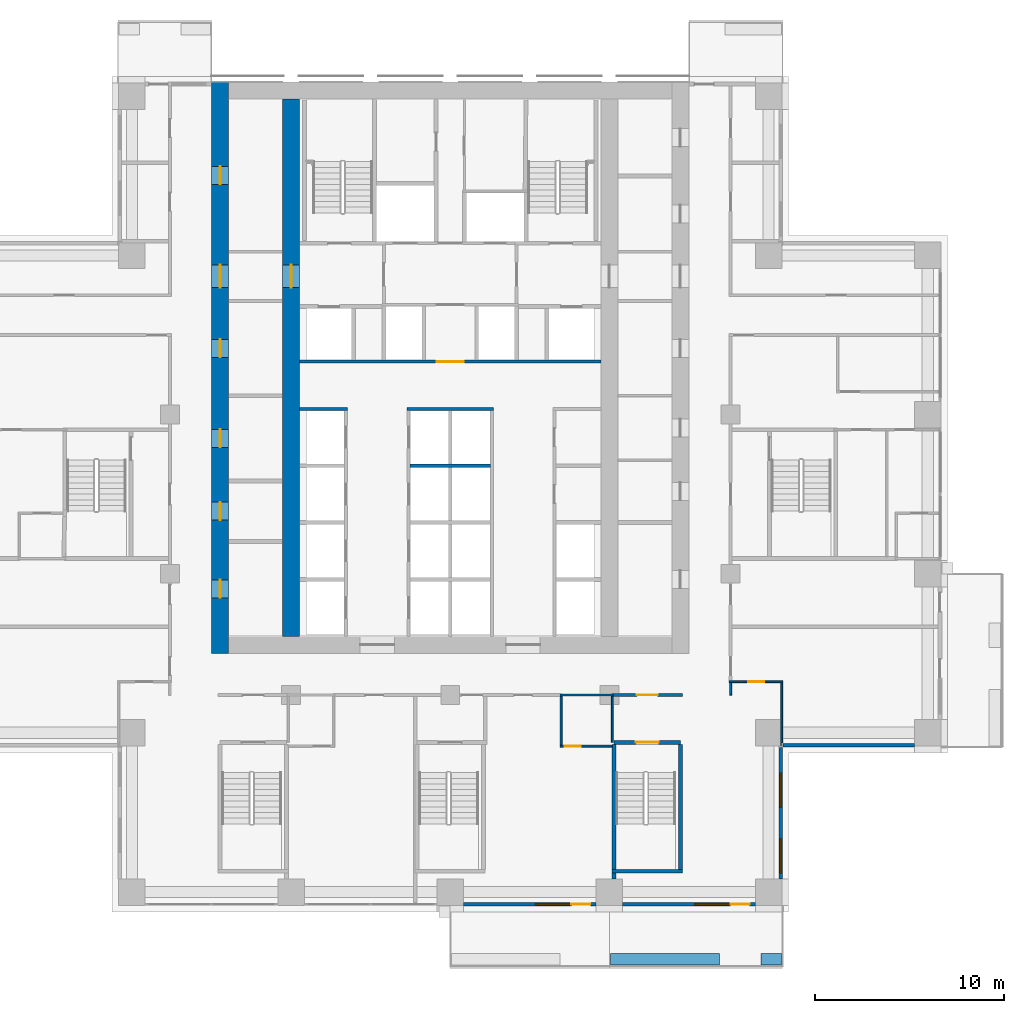
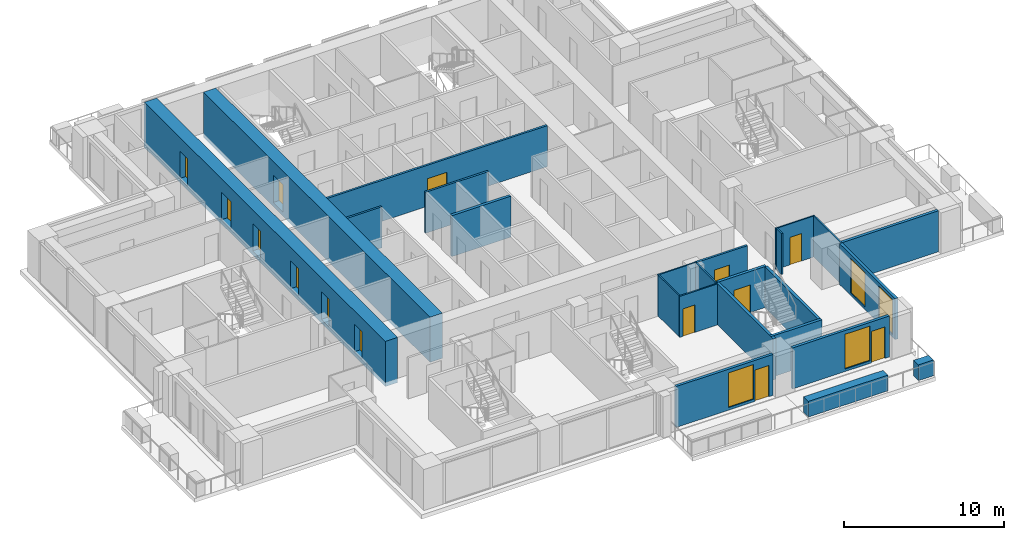
# One storey, part 10 of 17: 24 walls, 14 doors, 4 windows, 18 openings.
"""IFC4 building model written with IfcOpenShell, lengths in metres."""

from ifc_helpers import new_model, si_unit, direction, frame, frame_2d, origin, place, context, subcontext, project, spatial, rectangle, extrude, material, layer, layer_set, type_object, element, fill, save


model = new_model("IFC4")

# Units and contexts
model_context = context("Model", 3, precision=1e-05, world=origin(), true_north=direction((0.0, 1.0)))
body_context = subcontext(model_context, "Body", "Model", "MODEL_VIEW")
ifc_project = project(units=[si_unit("LENGTHUNIT", "METRE"), si_unit("AREAUNIT", "SQUARE_METRE"), si_unit("VOLUMEUNIT", "CUBIC_METRE"), si_unit("PLANEANGLEUNIT", "RADIAN"), si_unit("MASSUNIT", "GRAM", prefix="KILO")], contexts=[model_context])

# Site, building, storey
site_placement = place(None, origin())
site = spatial("IfcSite", under=ifc_project, at=site_placement, CompositionType="ELEMENT")
building_placement = place(site_placement, origin())
building = spatial("IfcBuilding", under=site, at=building_placement, Name="Vermilion Ogive Tower", CompositionType="ELEMENT")
storey_placement = place(building_placement, frame((0.0, 0.0, 65.550048828125)))
storey = spatial("IfcBuildingStorey", under=building, at=storey_placement, Name="L15", CompositionType="ELEMENT", Elevation=65.550048828125)

# Wall, openings, doors
ifc_material_1 = material(Name="Concrete B80", Category="concrete")
ifc_layer_1 = layer(ifc_material_1, 0.89990234375)
ifc_layer_set_1 = layer_set([ifc_layer_1], Name="Core wall 900 B80")
wall_type_1 = type_object("IfcWallType", Name="Core wall 900 B80", PredefinedType="SHEAR", material=ifc_layer_set_1)
wall_1_placement = place(storey_placement, frame((-12.14990234375, -8.39990234375, -0.320068359375), z_axis=(0.0, 0.0, 1.0), x_axis=(0.0, 1.0, 0.0)))
wall_1 = element("IfcWall", 1, at=wall_1_placement, inside=storey, type_object=wall_type_1, Name="L15-CORE-W", PredefinedType="SHEAR", context=body_context, shape_type="SweptSolid", body=[
    extrude(rectangle(XDim=30.14990234375, YDim=0.89990234375, at=frame_2d((15.074951171875, 0.0))), origin(), (0.0, 0.0, 1.0), 3.449951171875),
])
opening_1_placement = place(wall_1_placement, frame((2.925048828125, 0.0, 0.320068359375)))
opening_1 = element("IfcOpeningElement", 2, at=opening_1_placement, cuts=wall_1, Name="Opening DAD023", PredefinedType="OPENING", context=body_context, shape_type="SweptSolid", body=[
    extrude(rectangle(XDim=0.949951171875, YDim=2.10009765625, at=frame_2d((0.47509765625, 1.050048828125))), frame((0.0, 0.4599609375, 0.0), z_axis=(0.0, -1.0, 0.0), x_axis=(1.0, 0.0, 0.0)), (0.0, 0.0, 1.0), 0.919921875),
])
opening_2_placement = place(wall_1_placement, frame((7.02490234375, 0.0, 0.320068359375)))
opening_2 = element("IfcOpeningElement", 3, at=opening_2_placement, cuts=wall_1, Name="Opening DAD024", PredefinedType="OPENING", context=body_context, shape_type="SweptSolid", body=[
    extrude(rectangle(XDim=0.949951171875, YDim=2.10009765625, at=frame_2d((0.47509765625, 1.050048828125))), frame((0.0, 0.4599609375, 0.0), z_axis=(0.0, -1.0, 0.0), x_axis=(1.0, 0.0, 0.0)), (0.0, 0.0, 1.0), 0.919921875),
])
opening_3_placement = place(wall_1_placement, frame((10.875, 0.0, 0.320068359375)))
opening_3 = element("IfcOpeningElement", 4, at=opening_3_placement, cuts=wall_1, Name="Opening DAD025", PredefinedType="OPENING", context=body_context, shape_type="SweptSolid", body=[
    extrude(rectangle(XDim=0.949951171875, YDim=2.10009765625, at=frame_2d((0.47509765625, 1.050048828125))), frame((0.0, 0.4599609375, 0.0), z_axis=(0.0, -1.0, 0.0), x_axis=(1.0, 0.0, 0.0)), (0.0, 0.0, 1.0), 0.919921875),
])
opening_4_placement = place(wall_1_placement, frame((15.625, 0.0, 0.320068359375)))
opening_4 = element("IfcOpeningElement", 5, at=opening_4_placement, cuts=wall_1, Name="Opening DAD026", PredefinedType="OPENING", context=body_context, shape_type="SweptSolid", body=[
    extrude(rectangle(XDim=0.949951171875, YDim=2.10009765625, at=frame_2d((0.47509765625, 1.050048828125))), frame((0.0, 0.4599609375, 0.0), z_axis=(0.0, -1.0, 0.0), x_axis=(1.0, 0.0, 0.0)), (0.0, 0.0, 1.0), 0.919921875),
])
opening_5_placement = place(wall_1_placement, frame((24.75, 0.0, 0.320068359375)))
opening_5 = element("IfcOpeningElement", 6, at=opening_5_placement, cuts=wall_1, Name="Opening DAD027", PredefinedType="OPENING", context=body_context, shape_type="SweptSolid", body=[
    extrude(rectangle(XDim=0.949951171875, YDim=2.10009765625, at=frame_2d((0.47509765625, 1.050048828125))), frame((0.0, 0.4599609375, 0.0), z_axis=(0.0, -1.0, 0.0), x_axis=(1.0, 0.0, 0.0)), (0.0, 0.0, 1.0), 0.919921875),
])
opening_6_placement = place(wall_1_placement, frame((19.300048828125, 0.0, 0.320068359375)))
opening_6 = element("IfcOpeningElement", 7, at=opening_6_placement, cuts=wall_1, Name="Opening DAM005", PredefinedType="OPENING", context=body_context, shape_type="SweptSolid", body=[
    extrude(rectangle(XDim=1.199951171875, YDim=2.10009765625, at=frame_2d((0.60009765625, 1.050048828125))), frame((0.0, 0.4599609375, 0.0), z_axis=(0.0, -1.0, 0.0), x_axis=(1.0, 0.0, 0.0)), (0.0, 0.0, 1.0), 0.919921875),
])
ifc_material_2 = material(Name="Timber door leaf", Category="wood")
door_type_1 = type_object("IfcDoorType", Name="Link door 1200 x 2100 FD60S", OperationType="SINGLE_SWING_LEFT", PredefinedType="DOOR", material=ifc_material_2)
door_1_placement = place(opening_6_placement, origin())
door_1 = element("IfcDoor", 8, at=door_1_placement, inside=storey, type_object=door_type_1, Name="L15-CKW-XL", OperationType="SINGLE_SWING_LEFT", OverallHeight=2.10009765625, OverallWidth=1.199951171875, PredefinedType="DOOR", context=body_context, shape_type="SweptSolid", body=[
    extrude(rectangle(XDim=1.199951171875, YDim=2.10009765625, at=frame_2d((0.60009765625, 1.050048828125))), frame((0.0, 0.02490234375, 0.0), z_axis=(0.0, -1.0, 0.0), x_axis=(1.0, 0.0, 0.0)), (0.0, 0.0, 1.0), 0.050048828125),
])
fill(opening_6, door_1)
ifc_material_3 = material(Name="Timber door leaf", Category="wood")
door_type_2 = type_object("IfcDoorType", Name="Service door 950 x 2100 FD60", OperationType="SINGLE_SWING_LEFT", PredefinedType="DOOR", material=ifc_material_3)
door_2_placement = place(opening_1_placement, origin())
door_2 = element("IfcDoor", 9, at=door_2_placement, inside=storey, type_object=door_type_2, Name="L15-CKW-XR0", OperationType="SINGLE_SWING_LEFT", OverallHeight=2.10009765625, OverallWidth=0.949951171875, PredefinedType="DOOR", context=body_context, shape_type="SweptSolid", body=[
    extrude(rectangle(XDim=0.949951171875, YDim=2.10009765625, at=frame_2d((0.47509765625, 1.050048828125))), frame((0.0, 0.02490234375, 0.0), z_axis=(0.0, -1.0, 0.0), x_axis=(1.0, 0.0, 0.0)), (0.0, 0.0, 1.0), 0.050048828125),
])
fill(opening_1, door_2)
door_3_placement = place(opening_2_placement, origin())
door_3 = element("IfcDoor", 10, at=door_3_placement, inside=storey, type_object=door_type_2, Name="L15-CKW-XR1", OperationType="SINGLE_SWING_LEFT", OverallHeight=2.10009765625, OverallWidth=0.949951171875, PredefinedType="DOOR", context=body_context, shape_type="SweptSolid", body=[
    extrude(rectangle(XDim=0.949951171875, YDim=2.10009765625, at=frame_2d((0.47509765625, 1.050048828125))), frame((0.0, 0.02490234375, 0.0), z_axis=(0.0, -1.0, 0.0), x_axis=(1.0, 0.0, 0.0)), (0.0, 0.0, 1.0), 0.050048828125),
])
fill(opening_2, door_3)
door_4_placement = place(opening_3_placement, origin())
door_4 = element("IfcDoor", 11, at=door_4_placement, inside=storey, type_object=door_type_2, Name="L15-CKW-XR2", OperationType="SINGLE_SWING_LEFT", OverallHeight=2.10009765625, OverallWidth=0.949951171875, PredefinedType="DOOR", context=body_context, shape_type="SweptSolid", body=[
    extrude(rectangle(XDim=0.949951171875, YDim=2.10009765625, at=frame_2d((0.47509765625, 1.050048828125))), frame((0.0, 0.02490234375, 0.0), z_axis=(0.0, -1.0, 0.0), x_axis=(1.0, 0.0, 0.0)), (0.0, 0.0, 1.0), 0.050048828125),
])
fill(opening_3, door_4)
door_5_placement = place(opening_4_placement, origin())
door_5 = element("IfcDoor", 12, at=door_5_placement, inside=storey, type_object=door_type_2, Name="L15-CKW-XR3", OperationType="SINGLE_SWING_LEFT", OverallHeight=2.10009765625, OverallWidth=0.949951171875, PredefinedType="DOOR", context=body_context, shape_type="SweptSolid", body=[
    extrude(rectangle(XDim=0.949951171875, YDim=2.10009765625, at=frame_2d((0.47509765625, 1.050048828125))), frame((0.0, 0.02490234375, 0.0), z_axis=(0.0, -1.0, 0.0), x_axis=(1.0, 0.0, 0.0)), (0.0, 0.0, 1.0), 0.050048828125),
])
fill(opening_4, door_5)
door_6_placement = place(opening_5_placement, origin())
door_6 = element("IfcDoor", 13, at=door_6_placement, inside=storey, type_object=door_type_2, Name="L15-CKW-XR4", OperationType="SINGLE_SWING_LEFT", OverallHeight=2.10009765625, OverallWidth=0.949951171875, PredefinedType="DOOR", context=body_context, shape_type="SweptSolid", body=[
    extrude(rectangle(XDim=0.949951171875, YDim=2.10009765625, at=frame_2d((0.47509765625, 1.050048828125))), frame((0.0, 0.02490234375, 0.0), z_axis=(0.0, -1.0, 0.0), x_axis=(1.0, 0.0, 0.0)), (0.0, 0.0, 1.0), 0.050048828125),
])
fill(opening_5, door_6)

# Wall, opening, door
wall_2_placement = place(storey_placement, frame((-8.39990234375, -7.5, -0.320068359375), z_axis=(0.0, 0.0, 1.0), x_axis=(0.0, 1.0, 0.0)))
wall_2 = element("IfcWall", 14, at=wall_2_placement, inside=storey, type_object=wall_type_1, Name="L15-CORE-WEB1", PredefinedType="SHEAR", context=body_context, shape_type="SweptSolid", body=[
    extrude(rectangle(XDim=28.35009765625, YDim=0.89990234375, at=frame_2d((14.175048828125, 0.0))), origin(), (0.0, 0.0, 1.0), 3.449951171875),
])
opening_7_placement = place(wall_2_placement, frame((18.39990234375, 0.0, 0.320068359375)))
opening_7 = element("IfcOpeningElement", 15, at=opening_7_placement, cuts=wall_2, Name="Opening DAP005", PredefinedType="OPENING", context=body_context, shape_type="SweptSolid", body=[
    extrude(rectangle(XDim=1.199951171875, YDim=2.10009765625, at=frame_2d((0.60009765625, 1.050048828125))), frame((0.0, 0.4599609375, 0.0), z_axis=(0.0, -1.0, 0.0), x_axis=(1.0, 0.0, 0.0)), (0.0, 0.0, 1.0), 0.919921875),
])
door_7_placement = place(opening_7_placement, origin())
door_7 = element("IfcDoor", 16, at=door_7_placement, inside=storey, type_object=door_type_1, Name="L15-CKW-XW", OperationType="SINGLE_SWING_LEFT", OverallHeight=2.10009765625, OverallWidth=1.199951171875, PredefinedType="DOOR", context=body_context, shape_type="SweptSolid", body=[
    extrude(rectangle(XDim=1.199951171875, YDim=2.10009765625, at=frame_2d((0.60009765625, 1.050048828125))), frame((0.0, 0.02490234375, 0.0), z_axis=(0.0, -1.0, 0.0), x_axis=(1.0, 0.0, 0.0)), (0.0, 0.0, 1.0), 0.050048828125),
])
fill(opening_7, door_7)

ifc_material_4 = material(Name="Gypsum board partition on steel studs", Category="steel")
ifc_layer_2 = layer(ifc_material_4, 0.10009765625)
ifc_layer_set_2 = layer_set([ifc_layer_2], Name="Partition 100 bath")
wall_type_2 = type_object("IfcWallType", Name="Partition 100 bath", PredefinedType="PARTITIONING", material=ifc_layer_set_2)
wall_3_placement = place(storey_placement, frame((5.802001953125, -13.300048828125, 0.0), z_axis=(0.0, 0.0, 1.0), x_axis=(1.0, 0.0, 0.0)))
wall_3 = element("IfcWall", 17, at=wall_3_placement, inside=storey, type_object=wall_type_2, Name="L15-W-W003", PredefinedType="PARTITIONING", context=body_context, shape_type="SweptSolid", body=[
    extrude(rectangle(XDim=2.748046875, YDim=0.10009765625, at=frame_2d((1.3740234375, 0.0))), origin(), (0.0, 0.0, 1.0), 3.1298828125),
])
opening_8_placement = place(wall_3_placement, frame((0.248046875, 0.0, 0.0)))
opening_8 = element("IfcOpeningElement", 18, at=opening_8_placement, cuts=wall_3, Name="Opening D1G5011", PredefinedType="OPENING", context=body_context, shape_type="SweptSolid", body=[
    extrude(rectangle(XDim=0.85009765625, YDim=2.10009765625, at=frame_2d((0.425048828125, 1.050048828125))), frame((0.0, 0.06005859375, 0.0), z_axis=(0.0, -1.0, 0.0), x_axis=(1.0, 0.0, 0.0)), (0.0, 0.0, 1.0), 0.1201171875),
])
ifc_material_5 = material(Name="Timber door leaf", Category="wood")
door_type_3 = type_object("IfcDoorType", Name="Bath door 850 x 2100 FD30", OperationType="SINGLE_SWING_LEFT", PredefinedType="DOOR", material=ifc_material_5)
door_8_placement = place(opening_8_placement, origin())
door_8 = element("IfcDoor", 19, at=door_8_placement, inside=storey, type_object=door_type_3, Name="L15-D-D011", OperationType="SINGLE_SWING_LEFT", OverallHeight=2.10009765625, OverallWidth=0.85009765625, PredefinedType="DOOR", context=body_context, shape_type="SweptSolid", body=[
    extrude(rectangle(XDim=0.85009765625, YDim=2.10009765625, at=frame_2d((0.425048828125, 1.050048828125))), frame((0.0, 0.02490234375, 0.0), z_axis=(0.0, -1.0, 0.0), x_axis=(1.0, 0.0, 0.0)), (0.0, 0.0, 1.0), 0.050048828125),
])
fill(opening_8, door_8)

# Wall
wall_4_placement = place(storey_placement, frame((5.800048828125, -10.60009765625, 0.0), z_axis=(0.0, 0.0, 1.0), x_axis=(1.0, 0.0, 0.0)))
element("IfcWall", 20, at=wall_4_placement, inside=storey, type_object=wall_type_2, Name="L15-W-W010", PredefinedType="PARTITIONING", context=body_context, shape_type="SweptSolid", body=[
    extrude(rectangle(XDim=2.800048828125, YDim=0.10009765625, at=frame_2d((1.39990234375, 0.0))), origin(), (0.0, 0.0, 1.0), 3.1298828125),
])

# Wall, opening, door
wall_5_placement = place(storey_placement, frame((14.72509765625, -9.89990234375, 0.0), z_axis=(0.0, 0.0, 1.0), x_axis=(1.0, 0.0, 0.0)))
wall_5 = element("IfcWall", 21, at=wall_5_placement, inside=storey, type_object=wall_type_2, Name="L15-W-W013", PredefinedType="PARTITIONING", context=body_context, shape_type="SweptSolid", body=[
    extrude(rectangle(XDim=2.824951171875, YDim=0.10009765625, at=frame_2d((1.41259765625, 0.0))), origin(), (0.0, 0.0, 1.0), 3.1298828125),
])
opening_9_placement = place(wall_5_placement, frame((1.0, 0.0, 0.0)))
opening_9 = element("IfcOpeningElement", 22, at=opening_9_placement, cuts=wall_5, Name="Opening D1G5013", PredefinedType="OPENING", context=body_context, shape_type="SweptSolid", body=[
    extrude(rectangle(XDim=0.85009765625, YDim=2.10009765625, at=frame_2d((0.425048828125, 1.050048828125))), frame((0.0, 0.06005859375, 0.0), z_axis=(0.0, -1.0, 0.0), x_axis=(1.0, 0.0, 0.0)), (0.0, 0.0, 1.0), 0.1201171875),
])
door_9_placement = place(opening_9_placement, origin())
door_9 = element("IfcDoor", 23, at=door_9_placement, inside=storey, type_object=door_type_3, Name="L15-D-D013", OperationType="SINGLE_SWING_RIGHT", OverallHeight=2.10009765625, OverallWidth=0.85009765625, PredefinedType="DOOR", context=body_context, shape_type="SweptSolid", body=[
    extrude(rectangle(XDim=0.85009765625, YDim=2.10009765625, at=frame_2d((0.425048828125, 1.050048828125))), frame((0.0, 0.02490234375, 0.0), z_axis=(0.0, -1.0, 0.0), x_axis=(1.0, 0.0, 0.0)), (0.0, 0.0, 1.0), 0.050048828125),
])
fill(opening_9, door_9)

# Walls
wall_6_placement = place(storey_placement, frame((5.85009765625, -13.248046875, 0.0), z_axis=(0.0, 0.0, 1.0), x_axis=(0.0, 1.0, 0.0)))
element("IfcWall", 24, at=wall_6_placement, inside=storey, type_object=wall_type_2, Name="L15-W-W050", PredefinedType="PARTITIONING", context=body_context, shape_type="SweptSolid", body=[
    extrude(rectangle(XDim=2.572998046875, YDim=0.10009765625, at=frame_2d((1.28662109375, 0.0))), origin(), (0.0, 0.0, 1.0), 3.1298828125),
])
wall_7_placement = place(storey_placement, frame((8.550048828125, -13.10009765625, 0.0), z_axis=(0.0, 0.0, 1.0), x_axis=(0.0, 1.0, 0.0)))
element("IfcWall", 25, at=wall_7_placement, inside=storey, type_object=wall_type_2, Name="L15-W-W051", PredefinedType="PARTITIONING", context=body_context, shape_type="SweptSolid", body=[
    extrude(rectangle(XDim=2.425048828125, YDim=0.10009765625, at=frame_2d((1.21240234375, 0.0))), origin(), (0.0, 0.0, 1.0), 3.1298828125),
])
wall_8_placement = place(storey_placement, frame((14.800048828125, -10.60009765625, 0.0), z_axis=(0.0, 0.0, 1.0), x_axis=(0.0, 1.0, 0.0)))
element("IfcWall", 26, at=wall_8_placement, inside=storey, type_object=wall_type_2, Name="L15-W-W052", PredefinedType="PARTITIONING", context=body_context, shape_type="SweptSolid", body=[
    extrude(rectangle(XDim=0.650146484375, YDim=0.10009765625, at=frame_2d((0.3251953125, 0.0))), origin(), (0.0, 0.0, 1.0), 3.1298828125),
])
wall_9_placement = place(storey_placement, frame((17.5, -13.35009765625, 0.0), z_axis=(0.0, 0.0, 1.0), x_axis=(0.0, 1.0, 0.0)))
element("IfcWall", 27, at=wall_9_placement, inside=storey, type_object=wall_type_2, Name="L15-W-W056", PredefinedType="PARTITIONING", context=body_context, shape_type="SweptSolid", body=[
    extrude(rectangle(XDim=3.400146484375, YDim=0.10009765625, at=frame_2d((1.7001953125, 0.0))), origin(), (0.0, 0.0, 1.0), 3.1298828125),
])

# Wall, opening, door
ifc_material_6 = material(Name="Gypsum board partition on steel studs", Category="steel")
ifc_layer_3 = layer(ifc_material_6, 0.14990234375)
ifc_layer_set_3 = layer_set([ifc_layer_3], Name="Partition 150 corridor")
wall_type_3 = type_object("IfcWallType", Name="Partition 150 corridor", PredefinedType="PARTITIONING", material=ifc_layer_set_3)
wall_10_placement = place(storey_placement, frame((8.5, -10.60009765625, 0.0), z_axis=(0.0, 0.0, 1.0), x_axis=(1.0, 0.0, 0.0)))
wall_10 = element("IfcWall", 28, at=wall_10_placement, inside=storey, type_object=wall_type_3, Name="L15-W-W011", PredefinedType="PARTITIONING", context=body_context, shape_type="SweptSolid", body=[
    extrude(rectangle(XDim=3.75, YDim=0.14990234375, at=frame_2d((1.875, 0.0))), origin(), (0.0, 0.0, 1.0), 3.1298828125),
])
opening_10_placement = place(wall_10_placement, frame((1.35009765625, 0.0, 0.0)))
opening_10 = element("IfcOpeningElement", 29, at=opening_10_placement, cuts=wall_10, Name="Opening D1G5025", PredefinedType="OPENING", context=body_context, shape_type="SweptSolid", body=[
    extrude(rectangle(XDim=1.10009765625, YDim=2.10009765625, at=frame_2d((0.550048828125, 1.050048828125))), frame((0.0, 0.0849609375, 0.0), z_axis=(0.0, -1.0, 0.0), x_axis=(1.0, 0.0, 0.0)), (0.0, 0.0, 1.0), 0.169921875),
])
ifc_material_7 = material(Name="Timber door leaf", Category="wood")
door_type_4 = type_object("IfcDoorType", Name="Stair door 1100 x 2100 FD60S", OperationType="SINGLE_SWING_LEFT", PredefinedType="DOOR", material=ifc_material_7)
door_10_placement = place(opening_10_placement, origin())
door_10 = element("IfcDoor", 30, at=door_10_placement, inside=storey, type_object=door_type_4, Name="L15-D-D025", OperationType="SINGLE_SWING_RIGHT", OverallHeight=2.10009765625, OverallWidth=1.10009765625, PredefinedType="DOOR", context=body_context, shape_type="SweptSolid", body=[
    extrude(rectangle(XDim=1.10009765625, YDim=2.10009765625, at=frame_2d((0.550048828125, 1.050048828125))), frame((0.0, 0.02490234375, 0.0), z_axis=(0.0, -1.0, 0.0), x_axis=(1.0, 0.0, 0.0)), (0.0, 0.0, 1.0), 0.050048828125),
])
fill(opening_10, door_10)

# Walls
wall_11_placement = place(storey_placement, frame((-7.948974609375, 4.5, 0.0), z_axis=(0.0, 0.0, 1.0), x_axis=(1.0, 0.0, 0.0)))
element("IfcWall", 31, at=wall_11_placement, inside=storey, type_object=wall_type_3, Name="L15-CK-W-W010", PredefinedType="PARTITIONING", context=body_context, shape_type="SweptSolid", body=[
    extrude(rectangle(XDim=2.52392578125, YDim=0.14990234375, at=frame_2d((1.261962890625, 0.0))), origin(), (0.0, 0.0, 1.0), 3.1298828125),
])
wall_12_placement = place(storey_placement, frame((-2.27490234375, 4.5, 0.0), z_axis=(0.0, 0.0, 1.0), x_axis=(1.0, 0.0, 0.0)))
element("IfcWall", 32, at=wall_12_placement, inside=storey, type_object=wall_type_3, Name="L15-CK-W-W011", PredefinedType="PARTITIONING", context=body_context, shape_type="SweptSolid", body=[
    extrude(rectangle(XDim=4.5498046875, YDim=0.14990234375, at=frame_2d((2.27490234375, 0.0))), origin(), (0.0, 0.0, 1.0), 3.1298828125),
])

# Wall, opening, door
wall_13_placement = place(storey_placement, frame((-7.948974609375, 7.0, 0.0), z_axis=(0.0, 0.0, 1.0), x_axis=(1.0, 0.0, 0.0)))
wall_13 = element("IfcWall", 33, at=wall_13_placement, inside=storey, type_object=wall_type_3, Name="L15-CK-W-W013", PredefinedType="PARTITIONING", context=body_context, shape_type="SweptSolid", body=[
    extrude(rectangle(XDim=15.89794921875, YDim=0.14990234375, at=frame_2d((7.948974609375, 0.0))), origin(), (0.0, 0.0, 1.0), 3.1298828125),
])
opening_11_placement = place(wall_13_placement, frame((7.2490234375, 0.0, 0.0)))
opening_11 = element("IfcOpeningElement", 34, at=opening_11_placement, cuts=wall_13, Name="Opening DAA093", PredefinedType="OPENING", context=body_context, shape_type="SweptSolid", body=[
    extrude(rectangle(XDim=1.39990234375, YDim=2.10009765625, at=frame_2d((0.699951171875, 1.050048828125))), frame((0.0, 0.0849609375, 0.0), z_axis=(0.0, -1.0, 0.0), x_axis=(1.0, 0.0, 0.0)), (0.0, 0.0, 1.0), 0.169921875),
])
ifc_material_8 = material(Name="Timber door leaf", Category="wood")
door_type_5 = type_object("IfcDoorType", Name="Lobby door 1400 x 2100 FD60S", OperationType="SINGLE_SWING_LEFT", PredefinedType="DOOR", material=ifc_material_8)
door_11_placement = place(opening_11_placement, origin())
door_11 = element("IfcDoor", 35, at=door_11_placement, inside=storey, type_object=door_type_5, Name="L15-CK-D-D015", OperationType="SINGLE_SWING_RIGHT", OverallHeight=2.10009765625, OverallWidth=1.39990234375, PredefinedType="DOOR", context=body_context, shape_type="SweptSolid", body=[
    extrude(rectangle(XDim=1.39990234375, YDim=2.10009765625, at=frame_2d((0.699951171875, 1.050048828125))), frame((0.0, 0.02490234375, 0.0), z_axis=(0.0, -1.0, 0.0), x_axis=(1.0, 0.0, 0.0)), (0.0, 0.0, 1.0), 0.050048828125),
])
fill(opening_11, door_11)

# Wall
ifc_material_9 = material(Name="Gypsum board partition on steel studs", Category="steel")
ifc_layer_4 = layer(ifc_material_9, 0.199951171875)
ifc_layer_set_4 = layer_set([ifc_layer_4], Name="Partition 200 party")
wall_type_4 = type_object("IfcWallType", Name="Partition 200 party", PredefinedType="PARTITIONING", material=ifc_layer_set_4)
wall_14_placement = place(storey_placement, frame((-2.125, 1.5, 0.0), z_axis=(0.0, 0.0, 1.0), x_axis=(1.0, 0.0, 0.0)))
element("IfcWall", 36, at=wall_14_placement, inside=storey, type_object=wall_type_4, Name="L15-CK-W-W008", PredefinedType="PARTITIONING", context=body_context, shape_type="SweptSolid", body=[
    extrude(rectangle(XDim=4.25, YDim=0.199951171875, at=frame_2d((2.125, 0.0))), origin(), (0.0, 0.0, 1.0), 3.1298828125),
])

# Wall, opening, door
ifc_material_10 = material(Name="Concrete B60", Category="concrete")
ifc_layer_5 = layer(ifc_material_10, 0.199951171875)
ifc_layer_set_5 = layer_set([ifc_layer_5], Name="Stair shaft wall 200 Concrete B60")
wall_type_5 = type_object("IfcWallType", Name="Stair shaft wall 200 Concrete B60", PredefinedType="SOLIDWALL", material=ifc_layer_set_5)
wall_15_placement = place(storey_placement, frame((8.64990234375, -13.10009765625, 0.0), z_axis=(0.0, 0.0, 1.0), x_axis=(1.0, 0.0, 0.0)))
wall_15 = element("IfcWall", 37, at=wall_15_placement, inside=storey, type_object=wall_type_5, Name="L15-W-W006", PredefinedType="SOLIDWALL", context=body_context, shape_type="SweptSolid", body=[
    extrude(rectangle(XDim=3.5, YDim=0.199951171875, at=frame_2d((1.75, 0.0))), origin(), (0.0, 0.0, 1.0), 3.1298828125),
])
opening_12_placement = place(wall_15_placement, frame((1.150146484375, 0.0, 0.0)))
opening_12 = element("IfcOpeningElement", 38, at=opening_12_placement, cuts=wall_15, Name="Opening D1G5026", PredefinedType="OPENING", context=body_context, shape_type="SweptSolid", body=[
    extrude(rectangle(XDim=1.199951171875, YDim=2.10009765625, at=frame_2d((0.60009765625, 1.050048828125))), frame((0.0, 0.10986328125, 0.0), z_axis=(0.0, -1.0, 0.0), x_axis=(1.0, 0.0, 0.0)), (0.0, 0.0, 1.0), 0.219970703125),
])
ifc_material_11 = material(Name="Timber door leaf", Category="wood")
door_type_6 = type_object("IfcDoorType", Name="Stair door 1200 x 2100 FD60S", OperationType="SINGLE_SWING_LEFT", PredefinedType="DOOR", material=ifc_material_11)
door_12_placement = place(opening_12_placement, origin())
door_12 = element("IfcDoor", 39, at=door_12_placement, inside=storey, type_object=door_type_6, Name="L15-D-D026", OperationType="SINGLE_SWING_RIGHT", OverallHeight=2.10009765625, OverallWidth=1.199951171875, PredefinedType="DOOR", context=body_context, shape_type="SweptSolid", body=[
    extrude(rectangle(XDim=1.199951171875, YDim=2.10009765625, at=frame_2d((0.60009765625, 1.050048828125))), frame((0.0, 0.02490234375, 0.0), z_axis=(0.0, -1.0, 0.0), x_axis=(1.0, 0.0, 0.0)), (0.0, 0.0, 1.0), 0.050048828125),
])
fill(opening_12, door_12)

# Walls
wall_16_placement = place(storey_placement, frame((8.550048828125, -19.89990234375, 0.0), z_axis=(0.0, 0.0, 1.0), x_axis=(1.0, 0.0, 0.0)))
element("IfcWall", 40, at=wall_16_placement, inside=storey, type_object=wall_type_5, Name="L15-SW-ST5-S1", PredefinedType="SOLIDWALL", context=body_context, shape_type="SweptSolid", body=[
    extrude(rectangle(XDim=3.699951171875, YDim=0.199951171875, at=frame_2d((1.85009765625, 0.0))), origin(), (0.0, 0.0, 1.0), 3.1298828125),
])
wall_17_placement = place(storey_placement, frame((12.14990234375, -19.800048828125, 0.0), z_axis=(0.0, 0.0, 1.0), x_axis=(0.0, 1.0, 0.0)))
element("IfcWall", 41, at=wall_17_placement, inside=storey, type_object=wall_type_5, Name="L15-SW-ST5-E1", PredefinedType="SOLIDWALL", context=body_context, shape_type="SweptSolid", body=[
    extrude(rectangle(XDim=6.60009765625, YDim=0.199951171875, at=frame_2d((3.300048828125, 0.0))), origin(), (0.0, 0.0, 1.0), 3.1298828125),
])
wall_18_placement = place(storey_placement, frame((8.64990234375, -20.300048828125, 0.0), z_axis=(0.0, 0.0, 1.0), x_axis=(0.0, 1.0, 0.0)))
element("IfcWall", 42, at=wall_18_placement, inside=storey, type_object=wall_type_5, Name="L15-SW-ST5-W1-A", PredefinedType="SOLIDWALL", context=body_context, shape_type="SweptSolid", body=[
    extrude(rectangle(XDim=7.10009765625, YDim=0.199951171875, at=frame_2d((3.550048828125, 0.0))), origin(), (0.0, 0.0, 1.0), 3.1298828125),
])
ifc_material_12 = material(Name="Concrete B40", Category="concrete")
ifc_layer_6 = layer(ifc_material_12, 0.60009765625)
ifc_layer_set_6 = layer_set([ifc_layer_6], Name="Structural planter")
wall_type_6 = type_object("IfcWallType", Name="Structural planter", PredefinedType="USERDEFINED", material=ifc_layer_set_6)
wall_19_placement = place(storey_placement, frame((8.4599609375, -24.550048828125, -0.0400390625), z_axis=(0.0, 0.0, 1.0), x_axis=(1.0, 0.0, 0.0)))
element("IfcWall", 43, at=wall_19_placement, inside=storey, type_object=wall_type_6, Name="Planter S04A1", ObjectType="PLANTER", PredefinedType="USERDEFINED", context=body_context, shape_type="SweptSolid", body=[
    extrude(rectangle(XDim=5.739990234375, YDim=0.60009765625, at=frame_2d((2.8701171875, 0.0))), origin(), (0.0, 0.0, 1.0), 1.199951171875),
])
wall_20_placement = place(storey_placement, frame((16.39990234375, -24.550048828125, -0.0400390625), z_axis=(0.0, 0.0, 1.0), x_axis=(1.0, 0.0, 0.0)))
element("IfcWall", 44, at=wall_20_placement, inside=storey, type_object=wall_type_6, Name="Planter S04A2", ObjectType="PLANTER", PredefinedType="USERDEFINED", context=body_context, shape_type="SweptSolid", body=[
    extrude(rectangle(XDim=1.090087890625, YDim=0.60009765625, at=frame_2d((0.544921875, 0.0))), origin(), (0.0, 0.0, 1.0), 1.199951171875),
])

# Wall, openings, door, window
ifc_material_13 = material(Name="Aluminium window wall framing", Category="aluminium")
ifc_layer_7 = layer(ifc_material_13, 0.199951171875)
ifc_layer_set_7 = layer_set([ifc_layer_7], Name="Window wall")
wall_type_7 = type_object("IfcWallType", Name="Window wall", PredefinedType="STANDARD", material=ifc_layer_set_7)
wall_21_placement = place(storey_placement, frame((0.699951171875, -21.64990234375, 0.0), z_axis=(0.0, 0.0, 1.0), x_axis=(1.0, 0.0, 0.0)))
wall_21 = element("IfcWall", 45, at=wall_21_placement, inside=storey, type_object=wall_type_7, Name="Window wall S3", PredefinedType="STANDARD", context=body_context, shape_type="SweptSolid", body=[
    extrude(rectangle(XDim=7.0, YDim=0.199951171875, at=frame_2d((3.5, 0.0))), origin(), (0.0, 0.0, 1.0), 3.1298828125),
])
opening_13_placement = place(wall_21_placement, frame((3.800048828125, 0.0, 0.199951171875)))
opening_13 = element("IfcOpeningElement", 46, at=opening_13_placement, cuts=wall_21, Name="Opening W1-S01", PredefinedType="OPENING", context=body_context, shape_type="SweptSolid", body=[
    extrude(rectangle(XDim=1.800048828125, YDim=2.64990234375, at=frame_2d((0.89990234375, 1.324951171875))), frame((0.0, 0.10986328125, 0.0), z_axis=(0.0, -1.0, 0.0), x_axis=(1.0, 0.0, 0.0)), (0.0, 0.0, 1.0), 0.219970703125),
])
opening_14_placement = place(wall_21_placement, frame((5.699951171875, 0.0, 0.0)))
opening_14 = element("IfcOpeningElement", 47, at=opening_14_placement, cuts=wall_21, Name="Opening D1-S01", PredefinedType="OPENING", context=body_context, shape_type="SweptSolid", body=[
    extrude(rectangle(XDim=1.0, YDim=2.39990234375, at=frame_2d((0.5, 1.199951171875))), frame((0.0, 0.10986328125, 0.0), z_axis=(0.0, -1.0, 0.0), x_axis=(1.0, 0.0, 0.0)), (0.0, 0.0, 1.0), 0.219970703125),
])
ifc_material_14 = material(Name="Aluminium framed glazed door", Category="aluminium")
door_type_7 = type_object("IfcDoorType", Name="Balcony door D1", OperationType="SINGLE_SWING_LEFT", PredefinedType="DOOR", material=ifc_material_14)
door_13_placement = place(opening_14_placement, origin())
door_13 = element("IfcDoor", 48, at=door_13_placement, inside=storey, type_object=door_type_7, Name="Balcony door S01", OperationType="SINGLE_SWING_LEFT", OverallHeight=2.39990234375, OverallWidth=1.0, PredefinedType="DOOR", context=body_context, shape_type="SweptSolid", body=[
    extrude(rectangle(XDim=1.0, YDim=2.39990234375, at=frame_2d((0.5, 1.199951171875))), frame((0.0, 0.02490234375, 0.0), z_axis=(0.0, -1.0, 0.0), x_axis=(1.0, 0.0, 0.0)), (0.0, 0.0, 1.0), 0.050048828125),
])
fill(opening_14, door_13)
ifc_material_15 = material(Name="Aluminium framed double glazing", Category="aluminium")
window_type = type_object("IfcWindowType", Name="Guest window W1", PartitioningType="SINGLE_PANEL", PredefinedType="WINDOW", material=ifc_material_15)
window_1_placement = place(opening_13_placement, origin())
window_1 = element("IfcWindow", 49, at=window_1_placement, inside=storey, type_object=window_type, Name="Window S01", OverallHeight=2.64990234375, OverallWidth=1.800048828125, PartitioningType="SINGLE_PANEL", PredefinedType="WINDOW", context=body_context, shape_type="SweptSolid", body=[
    extrude(rectangle(XDim=1.800048828125, YDim=2.64990234375, at=frame_2d((0.89990234375, 1.324951171875))), frame((0.0, 0.030029296875, 0.0), z_axis=(0.0, -1.0, 0.0), x_axis=(1.0, 0.0, 0.0)), (0.0, 0.0, 1.0), 0.06005859375),
])
fill(opening_13, window_1)

wall_22_placement = place(storey_placement, frame((9.10009765625, -21.64990234375, 0.0), z_axis=(0.0, 0.0, 1.0), x_axis=(1.0, 0.0, 0.0)))
wall_22 = element("IfcWall", 50, at=wall_22_placement, inside=storey, type_object=wall_type_7, Name="Window wall S4", PredefinedType="STANDARD", context=body_context, shape_type="SweptSolid", body=[
    extrude(rectangle(XDim=7.0, YDim=0.199951171875, at=frame_2d((3.5, 0.0))), origin(), (0.0, 0.0, 1.0), 3.1298828125),
])
opening_15_placement = place(wall_22_placement, frame((3.800048828125, 0.0, 0.199951171875)))
opening_15 = element("IfcOpeningElement", 51, at=opening_15_placement, cuts=wall_22, Name="Opening W1-S03", PredefinedType="OPENING", context=body_context, shape_type="SweptSolid", body=[
    extrude(rectangle(XDim=1.800048828125, YDim=2.64990234375, at=frame_2d((0.89990234375, 1.324951171875))), frame((0.0, 0.10986328125, 0.0), z_axis=(0.0, -1.0, 0.0), x_axis=(1.0, 0.0, 0.0)), (0.0, 0.0, 1.0), 0.219970703125),
])
opening_16_placement = place(wall_22_placement, frame((5.699951171875, 0.0, 0.0)))
opening_16 = element("IfcOpeningElement", 52, at=opening_16_placement, cuts=wall_22, Name="Opening D1-S03", PredefinedType="OPENING", context=body_context, shape_type="SweptSolid", body=[
    extrude(rectangle(XDim=1.0, YDim=2.39990234375, at=frame_2d((0.5, 1.199951171875))), frame((0.0, 0.10986328125, 0.0), z_axis=(0.0, -1.0, 0.0), x_axis=(1.0, 0.0, 0.0)), (0.0, 0.0, 1.0), 0.219970703125),
])
door_14_placement = place(opening_16_placement, origin())
door_14 = element("IfcDoor", 53, at=door_14_placement, inside=storey, type_object=door_type_7, Name="Balcony door S03", OperationType="SINGLE_SWING_LEFT", OverallHeight=2.39990234375, OverallWidth=1.0, PredefinedType="DOOR", context=body_context, shape_type="SweptSolid", body=[
    extrude(rectangle(XDim=1.0, YDim=2.39990234375, at=frame_2d((0.5, 1.199951171875))), frame((0.0, 0.02490234375, 0.0), z_axis=(0.0, -1.0, 0.0), x_axis=(1.0, 0.0, 0.0)), (0.0, 0.0, 1.0), 0.050048828125),
])
fill(opening_16, door_14)
window_2_placement = place(opening_15_placement, origin())
window_2 = element("IfcWindow", 54, at=window_2_placement, inside=storey, type_object=window_type, Name="Window S03", OverallHeight=2.64990234375, OverallWidth=1.800048828125, PartitioningType="SINGLE_PANEL", PredefinedType="WINDOW", context=body_context, shape_type="SweptSolid", body=[
    extrude(rectangle(XDim=1.800048828125, YDim=2.64990234375, at=frame_2d((0.89990234375, 1.324951171875))), frame((0.0, 0.030029296875, 0.0), z_axis=(0.0, -1.0, 0.0), x_axis=(1.0, 0.0, 0.0)), (0.0, 0.0, 1.0), 0.06005859375),
])
fill(opening_15, window_2)

# Wall, openings, windows
wall_23_placement = place(storey_placement, frame((17.449951171875, -20.300048828125, 0.0), z_axis=(0.0, 0.0, 1.0), x_axis=(0.0, 1.0, 0.0)))
wall_23 = element("IfcWall", 55, at=wall_23_placement, inside=storey, type_object=wall_type_7, Name="Window wall X11", PredefinedType="STANDARD", context=body_context, shape_type="SweptSolid", body=[
    extrude(rectangle(XDim=6.949951171875, YDim=0.199951171875, at=frame_2d((3.47509765625, 0.0))), origin(), (0.0, 0.0, 1.0), 3.1298828125),
])
opening_17_placement = place(wall_23_placement, frame((0.300048828125, 0.0, 0.199951171875)))
opening_17 = element("IfcOpeningElement", 56, at=opening_17_placement, cuts=wall_23, Name="Opening W1-X195", PredefinedType="OPENING", context=body_context, shape_type="SweptSolid", body=[
    extrude(rectangle(XDim=1.800048828125, YDim=2.64990234375, at=frame_2d((0.89990234375, 1.324951171875))), frame((0.0, 0.10986328125, 0.0), z_axis=(0.0, -1.0, 0.0), x_axis=(1.0, 0.0, 0.0)), (0.0, 0.0, 1.0), 0.219970703125),
])
opening_18_placement = place(wall_23_placement, frame((3.77490234375, 0.0, 0.199951171875)))
opening_18 = element("IfcOpeningElement", 57, at=opening_18_placement, cuts=wall_23, Name="Opening W1-X196", PredefinedType="OPENING", context=body_context, shape_type="SweptSolid", body=[
    extrude(rectangle(XDim=1.800048828125, YDim=2.64990234375, at=frame_2d((0.89990234375, 1.324951171875))), frame((0.0, 0.10986328125, 0.0), z_axis=(0.0, -1.0, 0.0), x_axis=(1.0, 0.0, 0.0)), (0.0, 0.0, 1.0), 0.219970703125),
])
window_3_placement = place(opening_17_placement, origin())
window_3 = element("IfcWindow", 58, at=window_3_placement, inside=storey, type_object=window_type, Name="Window X195", OverallHeight=2.64990234375, OverallWidth=1.800048828125, PartitioningType="SINGLE_PANEL", PredefinedType="WINDOW", context=body_context, shape_type="SweptSolid", body=[
    extrude(rectangle(XDim=1.800048828125, YDim=2.64990234375, at=frame_2d((0.89990234375, 1.324951171875))), frame((0.0, 0.030029296875, 0.0), z_axis=(0.0, -1.0, 0.0), x_axis=(1.0, 0.0, 0.0)), (0.0, 0.0, 1.0), 0.06005859375),
])
fill(opening_17, window_3)
window_4_placement = place(opening_18_placement, origin())
window_4 = element("IfcWindow", 59, at=window_4_placement, inside=storey, type_object=window_type, Name="Window X196", OverallHeight=2.64990234375, OverallWidth=1.800048828125, PartitioningType="SINGLE_PANEL", PredefinedType="WINDOW", context=body_context, shape_type="SweptSolid", body=[
    extrude(rectangle(XDim=1.800048828125, YDim=2.64990234375, at=frame_2d((0.89990234375, 1.324951171875))), frame((0.0, 0.030029296875, 0.0), z_axis=(0.0, -1.0, 0.0), x_axis=(1.0, 0.0, 0.0)), (0.0, 0.0, 1.0), 0.06005859375),
])
fill(opening_18, window_4)

# Wall
wall_24_placement = place(storey_placement, frame((17.550048828125, -13.25, 0.0), z_axis=(0.0, 0.0, 1.0), x_axis=(1.0, 0.0, 0.0)))
element("IfcWall", 60, at=wall_24_placement, inside=storey, type_object=wall_type_7, Name="Window wall X21", PredefinedType="STANDARD", context=body_context, shape_type="SweptSolid", body=[
    extrude(rectangle(XDim=6.949951171875, YDim=0.199951171875, at=frame_2d((3.47509765625, 0.0))), origin(), (0.0, 0.0, 1.0), 3.1298828125),
])

save(model, "model.ifc")
